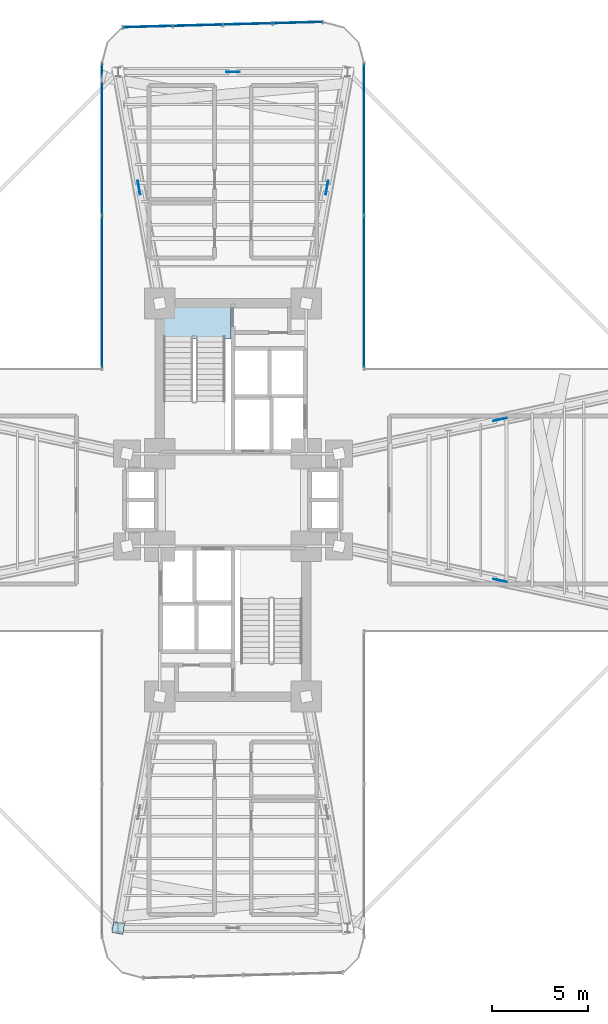
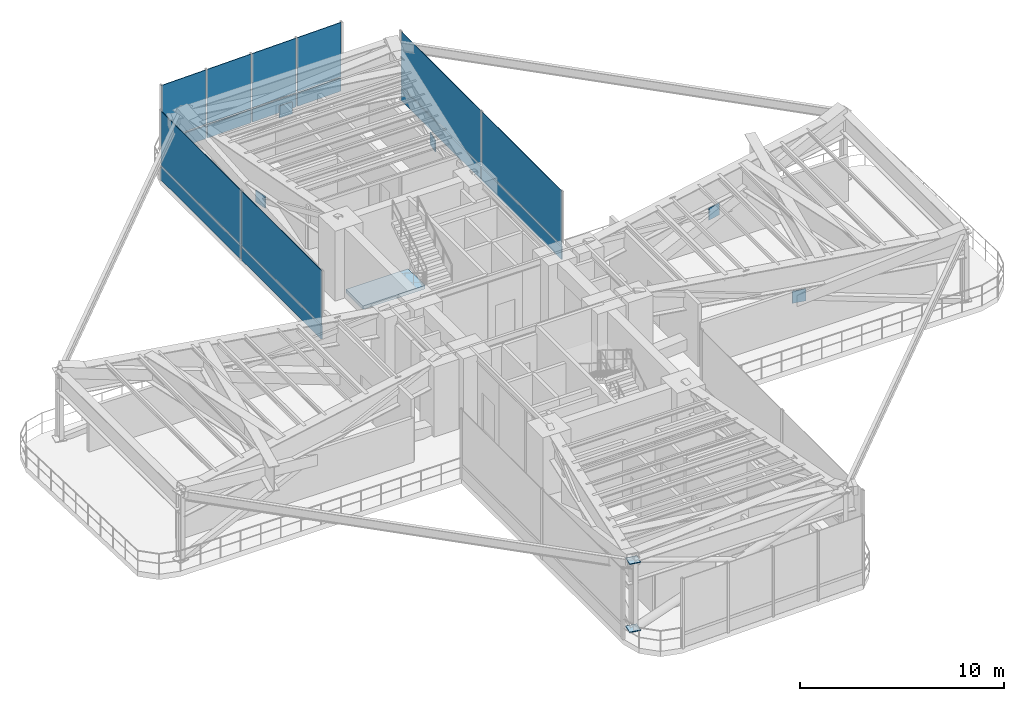
# One storey, part 11 of 18: 23 plates, 1 slab, 3 elements without a shape of their own.
"""IFC4 building model written with IfcOpenShell, lengths in metres."""

from ifc_helpers import new_model, si_unit, direction, frame, origin, origin_2d, place, context, subcontext, project, spatial, polyline, rectangle, outline, extrude, source, transform, mapped, material, layer, layer_set, type_object, element, aggregate, save


model = new_model("IFC4")

# Units and contexts
model_context = context("Model", 3, precision=1e-05, world=origin(), true_north=direction((0.0, 1.0)))
body_context = subcontext(model_context, "Body", "Model", "MODEL_VIEW")
ifc_project = project(units=[si_unit("LENGTHUNIT", "METRE"), si_unit("AREAUNIT", "SQUARE_METRE"), si_unit("VOLUMEUNIT", "CUBIC_METRE"), si_unit("PLANEANGLEUNIT", "RADIAN"), si_unit("MASSUNIT", "GRAM", prefix="KILO")], contexts=[model_context])

# Site, building, storey
site_placement = place(None, origin())
site = spatial("IfcSite", under=ifc_project, at=site_placement, CompositionType="ELEMENT")
building_placement = place(site_placement, origin())
building = spatial("IfcBuilding", under=site, at=building_placement, Name="Sahyath Konkavel Grand Hotel", CompositionType="ELEMENT")
storey_placement = place(building_placement, frame((0.0, 0.0, 74.5)))
storey = spatial("IfcBuildingStorey", under=building, at=storey_placement, Name="L20", CompositionType="ELEMENT", Elevation=74.5)

# Slab
ifc_material_1 = material(Name="Concrete C40/50", Category="concrete")
ifc_layer_1 = layer(ifc_material_1, 0.199951171875)
ifc_layer_set_1 = layer_set([ifc_layer_1], Name="Concrete C40/50")
slab_type = type_object("IfcSlabType", Name="SLB-STAIR-LND", PredefinedType="LANDING", material=ifc_layer_set_1)
slab_placement = place(storey_placement, frame((0.0, 0.0, -0.199951171875)))
element("IfcSlab", 1, at=slab_placement, inside=storey, type_object=slab_type, Name="L20 Stair ST-1 Floor Landing Slab", PredefinedType="LANDING", context=body_context, shape_type="SweptSolid", body=[
    extrude(outline(polyline([(-3.6201171875, 8.35009765625), (-0.10009765625, 8.35009765625), (-0.10009765625, 10.02001953125), (-3.6201171875, 10.02001953125), (-3.6201171875, 8.35009765625)])), origin(), (0.0, 0.0, 1.0), 0.199951171875),
])

# Plates
ifc_material_2 = material(Name="Steel E450", Category="steel")
plate_type_1 = type_object("IfcPlateType", Name="GUSSET-NODE-40", PredefinedType="USERDEFINED", material=ifc_material_2)
shared_shape_1 = source(origin(), body_context, "Body", "SweptSolid", [
    extrude(rectangle(XDim=0.719970703125, YDim=0.0400390625, at=origin_2d()), origin(), (0.0, 0.0, 1.0), 0.719970703125),
])
for number, where, z_axis, x_axis, name in (
    (2, (13.85009765625, -4.175048828125, 1.72998046875), (0.0, 0.0, 1.0), (0.978143971841, -0.207928762682, 0.0), "L20 Core Outrigger Truss EA X-Crossing Node Gusset Plate"),
    (3, (13.85009765625, 4.175048828125, 1.72998046875), (0.0, 0.0, 1.0), (0.978143971841, 0.207928762682, 0.0), "L20 Core Outrigger Truss EB X-Crossing Node Gusset Plate"),
    (4, (4.875, 16.199951171875, 1.72998046875), (0.0, 0.0, 1.0), (0.176363239745, 0.984325153426, 0.0), "L20 Core Outrigger Truss NA X-Crossing Node Gusset Plate"),
    (5, (-4.875, 16.199951171875, 1.72998046875), (0.0, 0.0, 1.0), (-0.176363239745, 0.984325153426, 0.0), "L20 Core Outrigger Truss NB X-Crossing Node Gusset Plate"),
    (6, (0.0, 22.199951171875, 1.72998046875), (0.0, 0.0, 1.0), (-1.0, 0.0, 0.0), "L20 Perimeter Belt Truss TIP-N X-Crossing Node Gusset Plate"),
):
    element("IfcPlate", number, at=place(storey_placement, frame(where, z_axis=z_axis, x_axis=x_axis)), inside=storey, type_object=plate_type_1, Name=name, ObjectType="GUSSET_PLATE", PredefinedType="USERDEFINED", context=body_context, shape_type="MappedRepresentation", body=[
        mapped(shared_shape_1, transform((0.0, 0.0, 0.0), scale=1.0)),
    ])
plate_type_2 = type_object("IfcPlateType", Name="GUSSET-END-35", PredefinedType="USERDEFINED", material=ifc_material_2)
shared_shape_2 = source(origin(), body_context, "Body", "SweptSolid", [
    extrude(rectangle(XDim=0.580078125, YDim=0.580078125, at=origin_2d()), origin(), (0.0, 0.0, 1.0), 0.044921875),
])
for number, where, z_axis, x_axis, name in (
    (7, (-5.949951171875, -22.199951171875, 0.027587890625), (0.0, 0.0, 1.0), (-0.176363239745, -0.984325153426, 0.0), "L20 Core Outrigger Truss SA Cast-In Embed Gusset Plate BR"),
    (8, (-5.949951171875, -22.199951171875, 4.107421875), (0.0, 0.0, 1.0), (-0.176363239745, -0.984325153426, 0.0), "L20 Core Outrigger Truss SA Cast-In Embed Gusset Plate TR"),
):
    element("IfcPlate", number, at=place(storey_placement, frame(where, z_axis=z_axis, x_axis=x_axis)), inside=storey, type_object=plate_type_2, Name=name, ObjectType="GUSSET_PLATE", PredefinedType="USERDEFINED", context=body_context, shape_type="MappedRepresentation", body=[
        mapped(shared_shape_2, transform((0.0, 0.0, 0.0), scale=1.0)),
    ])

# Curtain wall, plates
ifc_material_3 = material(Name="Anodised Bronze Aluminium & Low-E Glazing", Category="aluminium")
curtain_wall_type = type_object("IfcCurtainWallType", Name="CW-SKYLOBBY", PredefinedType="NOTDEFINED", material=ifc_material_3)
curtain_wall_1_placement = place(storey_placement, origin())
curtain_wall_1 = element("IfcCurtainWall", 9, at=curtain_wall_1_placement, inside=storey, type_object=curtain_wall_type, Name="L20 Unitised Curtain Wall RF8", PredefinedType="NOTDEFINED")
ifc_material_4 = material(Name="Warm Buff Sandstone Cladding", Category="masonry")
ifc_layer_2 = layer(ifc_material_4, 0.074951171875)
ifc_layer_set_2 = layer_set([ifc_layer_2], Name="Warm Buff Sandstone Cladding")
plate_type_3 = type_object("IfcPlateType", Name="PNL-SPANDREL-STONE", PredefinedType="SHEET", material=ifc_layer_set_2)
shared_shape_3 = source(origin(), body_context, "Body", "SweptSolid", [
    extrude(rectangle(XDim=7.830078125, YDim=0.074951171875, at=origin_2d()), origin(), (0.0, 0.0, 1.0), 0.77001953125),
])
plate_1_placement = place(storey_placement, frame((6.800048828125, 10.794921875, 0.0400390625), z_axis=(0.0, 0.0, 1.0), x_axis=(0.0, 1.0, 0.0)))
plate_1 = element("IfcPlate", 10, at=plate_1_placement, type_object=plate_type_3, Name="L20 Sandstone Relief Spandrel Panel RF8-0", PredefinedType="SHEET", context=body_context, shape_type="MappedRepresentation", body=[
    mapped(shared_shape_3, transform((0.0, 0.0, 0.0), scale=1.0)),
])
plate_2_placement = place(storey_placement, frame((6.800048828125, 18.705078125, 0.0400390625), z_axis=(0.0, 0.0, 1.0), x_axis=(0.0, 1.0, 0.0)))
plate_2 = element("IfcPlate", 11, at=plate_2_placement, type_object=plate_type_3, Name="L20 Sandstone Relief Spandrel Panel RF8-1", PredefinedType="SHEET", context=body_context, shape_type="MappedRepresentation", body=[
    mapped(shared_shape_3, transform((0.0, 0.0, 0.0), scale=1.0)),
])

curtain_wall_2_placement = place(storey_placement, origin())
curtain_wall_2 = element("IfcCurtainWall", 12, at=curtain_wall_2_placement, inside=storey, type_object=curtain_wall_type, Name="L20 Unitised Curtain Wall RF15", PredefinedType="NOTDEFINED")
plate_3_placement = place(storey_placement, frame((-6.800048828125, 18.705078125, 0.0400390625), z_axis=(0.0, 0.0, 1.0), x_axis=(0.0, -1.0, 0.0)))
plate_3 = element("IfcPlate", 13, at=plate_3_placement, type_object=plate_type_3, Name="L20 Sandstone Relief Spandrel Panel RF15-0", PredefinedType="SHEET", context=body_context, shape_type="MappedRepresentation", body=[
    mapped(shared_shape_3, transform((0.0, 0.0, 0.0), scale=1.0)),
])
plate_4_placement = place(storey_placement, frame((-6.800048828125, 10.794921875, 0.0400390625), z_axis=(0.0, 0.0, 1.0), x_axis=(0.0, -1.0, 0.0)))
plate_4 = element("IfcPlate", 14, at=plate_4_placement, type_object=plate_type_3, Name="L20 Sandstone Relief Spandrel Panel RF15-1", PredefinedType="SHEET", context=body_context, shape_type="MappedRepresentation", body=[
    mapped(shared_shape_3, transform((0.0, 0.0, 0.0), scale=1.0)),
])

curtain_wall_3_placement = place(storey_placement, origin())
curtain_wall_3 = element("IfcCurtainWall", 15, at=curtain_wall_3_placement, inside=storey, type_object=curtain_wall_type, Name="L20 Unitised Curtain Wall RF12", PredefinedType="NOTDEFINED")
shared_shape_4 = source(origin(), body_context, "Body", "SweptSolid", [
    extrude(rectangle(XDim=2.513427734375, YDim=0.074951171875, at=origin_2d()), origin(), (0.0, 0.0, 1.0), 0.77001953125),
])
plate_5_placement = place(storey_placement, frame((3.36376953125, 24.763916015625, 0.0400390625), z_axis=(0.0, 0.0, 1.0), x_axis=(-0.999637867691, -0.026909728301, 0.0)))
plate_5 = element("IfcPlate", 16, at=plate_5_placement, type_object=plate_type_3, Name="L20 Sandstone Relief Spandrel Panel RF12-0", PredefinedType="SHEET", context=body_context, shape_type="MappedRepresentation", body=[
    mapped(shared_shape_4, transform((0.0, 0.0, 0.0), scale=1.0)),
])
plate_6_placement = place(storey_placement, frame((0.771240234375, 24.694091796875, 0.0400390625), z_axis=(0.0, 0.0, 1.0), x_axis=(-0.999637867691, -0.026909728301, 0.0)))
plate_6 = element("IfcPlate", 17, at=plate_6_placement, type_object=plate_type_3, Name="L20 Sandstone Relief Spandrel Panel RF12-1", PredefinedType="SHEET", context=body_context, shape_type="MappedRepresentation", body=[
    mapped(shared_shape_4, transform((0.0, 0.0, 0.0), scale=1.0)),
])
plate_7_placement = place(storey_placement, frame((-1.8212890625, 24.62451171875, 0.0400390625), z_axis=(0.0, 0.0, 1.0), x_axis=(-0.999637867691, -0.026909728301, 0.0)))
plate_7 = element("IfcPlate", 18, at=plate_7_placement, type_object=plate_type_3, Name="L20 Sandstone Relief Spandrel Panel RF12-2", PredefinedType="SHEET", context=body_context, shape_type="MappedRepresentation", body=[
    mapped(shared_shape_4, transform((0.0, 0.0, 0.0), scale=1.0)),
])
plate_8_placement = place(storey_placement, frame((-4.413818359375, 24.5546875, 0.0400390625), z_axis=(0.0, 0.0, 1.0), x_axis=(-0.999637867691, -0.026909728301, 0.0)))
plate_8 = element("IfcPlate", 19, at=plate_8_placement, type_object=plate_type_3, Name="L20 Sandstone Relief Spandrel Panel RF12-3", PredefinedType="SHEET", context=body_context, shape_type="MappedRepresentation", body=[
    mapped(shared_shape_4, transform((0.0, 0.0, 0.0), scale=1.0)),
])

# Plate
ifc_material_5 = material(Name="Warm Buff Sandstone Perforated Cladding", Category="masonry")
ifc_layer_3 = layer(ifc_material_5, 0.090087890625)
ifc_layer_set_3 = layer_set([ifc_layer_3], Name="Warm Buff Sandstone Perforated Cladding")
plate_type_4 = type_object("IfcPlateType", Name="PNL-CROWN-LOUVRE", PredefinedType="SHEET", material=ifc_layer_set_3)
shared_shape_5 = source(origin(), body_context, "Body", "SweptSolid", [
    extrude(rectangle(XDim=7.830078125, YDim=0.035888671875, at=origin_2d()), origin(), (0.0, 0.0, 1.0), 3.25),
])
plate_9_placement = place(storey_placement, frame((6.800048828125, 10.794921875, 0.889892578125), z_axis=(0.0, 0.0, 1.0), x_axis=(0.0, 1.0, 0.0)))
plate_9 = element("IfcPlate", 20, at=plate_9_placement, type_object=plate_type_4, Name="L20 Acoustic Plant Louvre Screen RF8-0", PredefinedType="SHEET", context=body_context, shape_type="MappedRepresentation", body=[
    mapped(shared_shape_5, transform((0.0, 0.0, 0.0), scale=1.0)),
])

plate_10_placement = place(storey_placement, frame((6.800048828125, 18.705078125, 0.889892578125), z_axis=(0.0, 0.0, 1.0), x_axis=(0.0, 1.0, 0.0)))
plate_10 = element("IfcPlate", 21, at=plate_10_placement, type_object=plate_type_4, Name="L20 Acoustic Plant Louvre Screen RF8-1", PredefinedType="SHEET", context=body_context, shape_type="MappedRepresentation", body=[
    mapped(shared_shape_5, transform((0.0, 0.0, 0.0), scale=1.0)),
])

aggregate(curtain_wall_1, [plate_1, plate_9, plate_2, plate_10])

plate_11_placement = place(storey_placement, frame((-6.800048828125, 18.705078125, 0.889892578125), z_axis=(0.0, 0.0, 1.0), x_axis=(0.0, -1.0, 0.0)))
plate_11 = element("IfcPlate", 22, at=plate_11_placement, type_object=plate_type_4, Name="L20 Acoustic Plant Louvre Screen RF15-0", PredefinedType="SHEET", context=body_context, shape_type="MappedRepresentation", body=[
    mapped(shared_shape_5, transform((0.0, 0.0, 0.0), scale=1.0)),
])

plate_12_placement = place(storey_placement, frame((-6.800048828125, 10.794921875, 0.889892578125), z_axis=(0.0, 0.0, 1.0), x_axis=(0.0, -1.0, 0.0)))
plate_12 = element("IfcPlate", 23, at=plate_12_placement, type_object=plate_type_4, Name="L20 Acoustic Plant Louvre Screen RF15-1", PredefinedType="SHEET", context=body_context, shape_type="MappedRepresentation", body=[
    mapped(shared_shape_5, transform((0.0, 0.0, 0.0), scale=1.0)),
])

aggregate(curtain_wall_2, [plate_3, plate_11, plate_4, plate_12])

shared_shape_6 = source(origin(), body_context, "Body", "SweptSolid", [
    extrude(rectangle(XDim=2.513427734375, YDim=0.035888671875, at=origin_2d()), origin(), (0.0, 0.0, 1.0), 3.25),
])
plate_13_placement = place(storey_placement, frame((3.36376953125, 24.763916015625, 0.889892578125), z_axis=(0.0, 0.0, 1.0), x_axis=(-0.999637867691, -0.026909728301, 0.0)))
plate_13 = element("IfcPlate", 24, at=plate_13_placement, type_object=plate_type_4, Name="L20 Acoustic Plant Louvre Screen RF12-0", PredefinedType="SHEET", context=body_context, shape_type="MappedRepresentation", body=[
    mapped(shared_shape_6, transform((0.0, 0.0, 0.0), scale=1.0)),
])

plate_14_placement = place(storey_placement, frame((0.771240234375, 24.694091796875, 0.889892578125), z_axis=(0.0, 0.0, 1.0), x_axis=(-0.999637867691, -0.026909728301, 0.0)))
plate_14 = element("IfcPlate", 25, at=plate_14_placement, type_object=plate_type_4, Name="L20 Acoustic Plant Louvre Screen RF12-1", PredefinedType="SHEET", context=body_context, shape_type="MappedRepresentation", body=[
    mapped(shared_shape_6, transform((0.0, 0.0, 0.0), scale=1.0)),
])

plate_15_placement = place(storey_placement, frame((-1.8212890625, 24.62451171875, 0.889892578125), z_axis=(0.0, 0.0, 1.0), x_axis=(-0.999637867691, -0.026909728301, 0.0)))
plate_15 = element("IfcPlate", 26, at=plate_15_placement, type_object=plate_type_4, Name="L20 Acoustic Plant Louvre Screen RF12-2", PredefinedType="SHEET", context=body_context, shape_type="MappedRepresentation", body=[
    mapped(shared_shape_6, transform((0.0, 0.0, 0.0), scale=1.0)),
])

plate_16_placement = place(storey_placement, frame((-4.413818359375, 24.5546875, 0.889892578125), z_axis=(0.0, 0.0, 1.0), x_axis=(-0.999637867691, -0.026909728301, 0.0)))
plate_16 = element("IfcPlate", 27, at=plate_16_placement, type_object=plate_type_4, Name="L20 Acoustic Plant Louvre Screen RF12-3", PredefinedType="SHEET", context=body_context, shape_type="MappedRepresentation", body=[
    mapped(shared_shape_6, transform((0.0, 0.0, 0.0), scale=1.0)),
])

aggregate(curtain_wall_3, [plate_5, plate_13, plate_6, plate_14, plate_7, plate_15, plate_8, plate_16])

save(model, "model.ifc")
